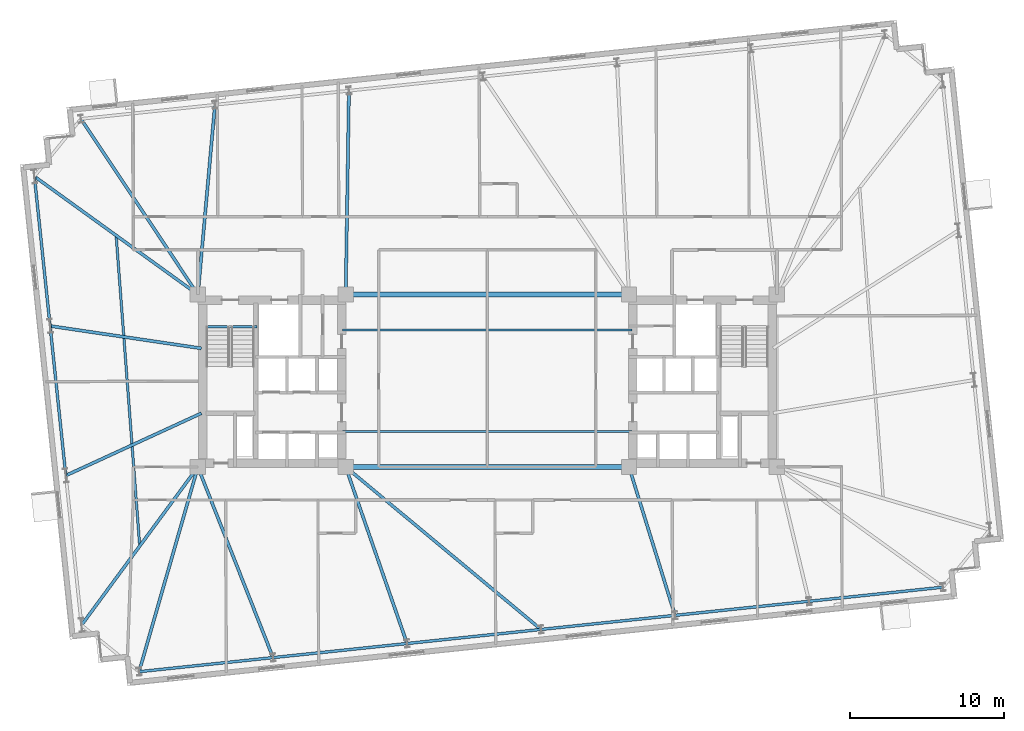
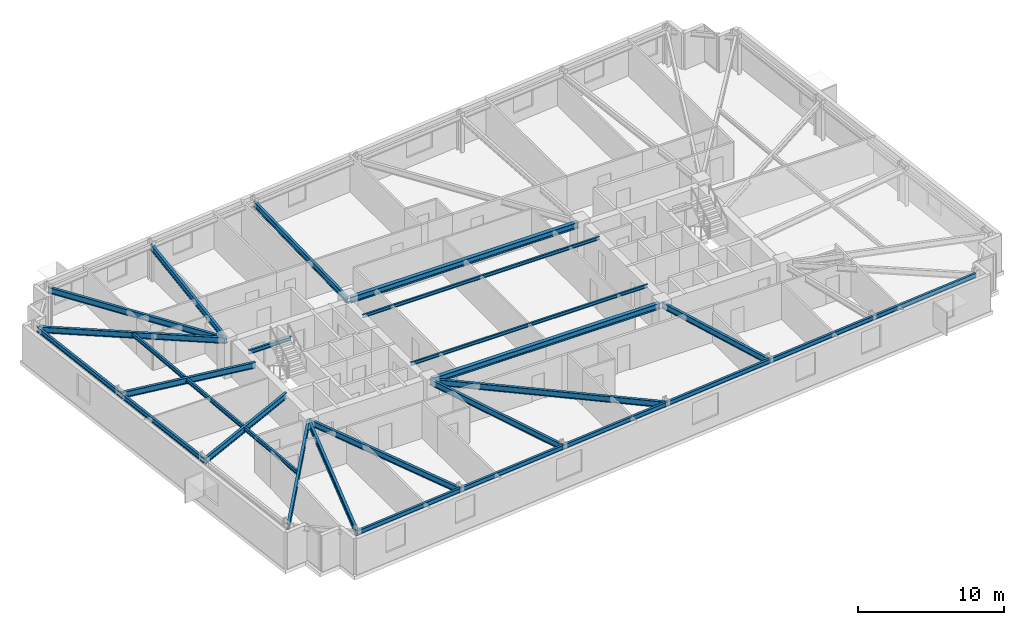
# One storey, part 5 of 18: 26 beams.
"""IFC4 building model written with IfcOpenShell, lengths in metres."""

import ifcopenshell
import ifcopenshell.guid

model = None  # the IFC model being written
_history = None  # IfcOwnerHistory: only IFC2X3 demands one
_inside = {}  # id of a spatial element -> (the spatial element, [elements in it])
_under = {}  # id of a project, library or spatial element -> (it, [spatial elements below it])
_declared = {}  # id of a project -> (the project, [libraries it declares])
_typed = {}  # id of a type object -> (the type object, [elements of that type])
_made_of = {}  # id of a material, layer set ... -> (it, [elements and type objects made of it])


def new_model(schema):
    """Start an empty IFC model of exactly this schema.

    Asked for "IFC4X3", IfcOpenShell would pick the latest addendum, in which some entities
    have other attributes; the version numbers below select the first issue.
    IFC2X3 requires an IfcOwnerHistory on every rooted entity: one is made here for all.
    """
    global model, _history
    if schema == "IFC4X3":
        model = ifcopenshell.file(schema_version=(4, 3, 0, 0))
    else:
        model = ifcopenshell.file(schema=schema)
    _inside.clear()
    _under.clear()
    _declared.clear()
    _typed.clear()
    _made_of.clear()
    _history = None
    if model.schema == "IFC2X3":
        org = make("IfcOrganization", Name="unknown")
        user = make(
            "IfcPersonAndOrganization",
            ThePerson=make("IfcPerson", FamilyName="unknown"),
            TheOrganization=org,
        )
        app = make(
            "IfcApplication",
            ApplicationDeveloper=org,
            Version="unknown",
            ApplicationFullName="unknown",
            ApplicationIdentifier="unknown",
        )
        _history = make(
            "IfcOwnerHistory",
            OwningUser=user,
            OwningApplication=app,
            ChangeAction="ADDED",
            CreationDate=0,
        )
    return model


def make(cls, **values):
    """One entity of the class cls with the attributes given. An attribute that is None is left unset."""
    return model.create_entity(
        cls, **{name: value for name, value in values.items() if value is not None}
    )


def rooted(cls, **values):
    """An entity with a GlobalId (a new one), such as an element, a storey or a relation."""
    return make(cls, GlobalId=ifcopenshell.guid.new(), OwnerHistory=_history, **values)


def si_unit(unit_type, name, prefix=None):
    """IfcSIUnit, for example si_unit("LENGTHUNIT", "METRE", prefix="MILLI")."""
    return make("IfcSIUnit", UnitType=unit_type, Prefix=prefix, Name=name)


def assignment(units):
    """IfcUnitAssignment: the units of a project."""
    return None if units is None else make("IfcUnitAssignment", Units=units)


def point(xyz):
    """IfcCartesianPoint."""
    return None if xyz is None else make("IfcCartesianPoint", Coordinates=xyz)


def direction(xyz):
    """IfcDirection."""
    return None if xyz is None else make("IfcDirection", DirectionRatios=xyz)


def frame(location, z_axis=None, x_axis=None):
    """IfcAxis2Placement3D, a coordinate frame: its origin and axes. An axis left out is left unset."""
    return make(
        "IfcAxis2Placement3D",
        Location=point(location),
        Axis=direction(z_axis),
        RefDirection=direction(x_axis),
    )


def frame_2d(location, x_axis=None):
    """IfcAxis2Placement2D, a coordinate frame in the plane: its origin and x axis."""
    return make(
        "IfcAxis2Placement2D", Location=point(location), RefDirection=direction(x_axis)
    )


def origin():
    """The frame at (0, 0, 0) with its axes left unset."""
    return frame((0.0, 0.0, 0.0))


def origin_2d():
    """The frame at (0, 0) in the plane with its x axis left unset."""
    return frame_2d((0.0, 0.0))


def place(relative_to, where):
    """IfcLocalPlacement: puts the frame where relative to a parent placement (None: the world)."""
    return make(
        "IfcLocalPlacement", PlacementRelTo=relative_to, RelativePlacement=where
    )


def context(
    kind, dimensions, precision=None, world=None, true_north=None, identifier=None
):
    """IfcGeometricRepresentationContext, for example the 3D "Model" context."""
    return make(
        "IfcGeometricRepresentationContext",
        ContextIdentifier=identifier,
        ContextType=kind,
        CoordinateSpaceDimension=dimensions,
        Precision=precision,
        WorldCoordinateSystem=world,
        TrueNorth=true_north,
    )


def subcontext(parent, identifier, kind, view, scale=None):
    """IfcGeometricRepresentationSubContext, for example "Body" below "Model"."""
    return make(
        "IfcGeometricRepresentationSubContext",
        ContextIdentifier=identifier,
        ContextType=kind,
        ParentContext=parent,
        TargetScale=scale,
        TargetView=view,
    )


def project(units=None, contexts=None):
    """IfcProject with its units and contexts."""
    return rooted(
        "IfcProject",
        Name="project",
        RepresentationContexts=contexts,
        UnitsInContext=assignment(units),
    )


def spatial(cls, under=None, at=None, **own):
    """A site, building, storey or space (cls), placed at a placement, below another one or the project."""
    s = rooted(cls, ObjectPlacement=at, **own)
    if under is not None:
        _under.setdefault(under.id(), (under, []))[1].append(s)
    return s


def profile(cls, at=None, kind="AREA", **sizes):
    """A parametric profile (cls). Its sizes go by their IFC names, for example OverallWidth=200.0."""
    return make(cls, ProfileType=kind, Position=at, **sizes)


def i_section(**sizes):
    """IfcIShapeProfileDef."""
    return profile("IfcIShapeProfileDef", **sizes)


def extrude(swept, where, along, depth):
    """IfcExtrudedAreaSolid: the profile swept, set in the frame where, extruded along a direction by depth."""
    return make(
        "IfcExtrudedAreaSolid",
        SweptArea=swept,
        Position=where,
        ExtrudedDirection=direction(along),
        Depth=depth,
    )


def shape(context_of_items, identifier, shape_type, items):
    """IfcShapeRepresentation: the items that make up one representation, for example the "Body"."""
    return make(
        "IfcShapeRepresentation",
        ContextOfItems=context_of_items,
        RepresentationIdentifier=identifier,
        RepresentationType=shape_type,
        Items=items,
    )


def material(Name=None, Category=None):
    """IfcMaterial."""
    return make("IfcMaterial", Name=Name, Category=Category)


def material_profile(
    of_material, cross_section, Name=None, Category=None, Priority=None
):
    """IfcMaterialProfile: a cross section and its material."""
    return make(
        "IfcMaterialProfile",
        Name=Name,
        Material=of_material,
        Profile=cross_section,
        Priority=Priority,
        Category=Category,
    )


def profile_set(profiles, Name=None, composite=None):
    """IfcMaterialProfileSet."""
    return make(
        "IfcMaterialProfileSet",
        Name=Name,
        MaterialProfiles=profiles,
        CompositeProfile=composite,
    )


def made_of(thing, what):
    """Note that an element or type object is made of a material, layer set ...; save() writes the relation."""
    if what is not None:
        _made_of.setdefault(what.id(), (what, []))[1].append(thing)
    return thing


def type_object(cls, material=None, **own):
    """A type object (cls), such as IfcWallType, which elements share."""
    return made_of(rooted(cls, **own), material)


def element(
    cls,
    number,
    at=None,
    inside=None,
    cuts=None,
    type_object=None,
    material=None,
    context=None,
    identifier="Body",
    shape_type=None,
    held_by="IfcProductDefinitionShape",
    body=None,
    shapes=None,
    **own,
):
    """One element of the class cls, such as IfcWall. Its Tag is "e" and its number.

    at: its placement. inside: the storey or other place that contains it. cuts: it is an
    opening in that element (IfcRelVoidsElement). A single representation is given by context,
    identifier, shape_type and body (its items); several are given by shapes. held_by: the class
    of the entity that holds the representations. save() writes the other relations.
    """
    e = rooted(cls, Tag="e%d" % number, ObjectPlacement=at, **own)
    if body is not None:
        shapes = [shape(context, identifier, shape_type, body)]
    if shapes is not None:
        e.Representation = make(held_by, Representations=shapes)
    if inside is not None:
        _inside.setdefault(inside.id(), (inside, []))[1].append(e)
    if cuts is not None:
        rooted(
            "IfcRelVoidsElement", RelatingBuildingElement=cuts, RelatedOpeningElement=e
        )
    if type_object is not None:
        _typed.setdefault(type_object.id(), (type_object, []))[1].append(e)
    return made_of(e, material)


def aggregate(whole, parts):
    """IfcRelAggregates: a whole, such as a stair, and the parts it consists of."""
    return rooted("IfcRelAggregates", RelatingObject=whole, RelatedObjects=parts)


def save(model, path):
    """Write the relations noted so far, then the file.

    IfcRelAggregates (storeys below a building ...), IfcRelContainedInSpatialStructure (elements
    in a storey), IfcRelDefinesByType, IfcRelAssociatesMaterial and IfcRelDeclares: one each for
    every whole, place, type object, material and project.
    """
    for whole, parts in _under.values():
        aggregate(whole, parts)
    for where, things in _inside.values():
        rooted(
            "IfcRelContainedInSpatialStructure",
            RelatedElements=things,
            RelatingStructure=where,
        )
    for kind, things in _typed.values():
        rooted("IfcRelDefinesByType", RelatedObjects=things, RelatingType=kind)
    for what, things in _made_of.values():
        rooted("IfcRelAssociatesMaterial", RelatedObjects=things, RelatingMaterial=what)
    for by, libraries in _declared.values():
        rooted("IfcRelDeclares", RelatingContext=by, RelatedDefinitions=libraries)
    model.write(path)


model = new_model("IFC4")

# Units and contexts
model_context = context("Model", 3, precision=1e-05, world=origin(), true_north=direction((0.0, 1.0)))
body_context = subcontext(model_context, "Body", "Model", "MODEL_VIEW")
ifc_project = project(units=[si_unit("LENGTHUNIT", "METRE"), si_unit("AREAUNIT", "SQUARE_METRE"), si_unit("VOLUMEUNIT", "CUBIC_METRE"), si_unit("PLANEANGLEUNIT", "RADIAN"), si_unit("MASSUNIT", "GRAM", prefix="KILO")], contexts=[model_context])

# Site, building, storey
site_placement = place(None, origin())
site = spatial("IfcSite", under=ifc_project, at=site_placement, CompositionType="ELEMENT")
building_placement = place(site_placement, origin())
building = spatial("IfcBuilding", under=site, at=building_placement, Name="Qobustan Lattice House", CompositionType="ELEMENT")
storey_placement = place(building_placement, frame((0.0, 0.0, 109.14990234375)))
storey = spatial("IfcBuildingStorey", under=building, at=storey_placement, Name="L30", CompositionType="ELEMENT", Elevation=109.14990234375)

# Beams
ifc_material_1 = material(Name="Steel S355", Category="steel")
ifc_material_profile_1 = material_profile(ifc_material_1, i_section(OverallWidth=0.300048828125, OverallDepth=0.5, WebThickness=0.014404296875, FlangeThickness=0.028076171875, FilletRadius=0.027099609375, at=origin_2d()), Name="HEB500")
ifc_profile_set_1 = profile_set([ifc_material_profile_1], Name="Steel S355")
beam_type_1 = type_object("IfcBeamType", Name="BM-CG-HEB500", PredefinedType="USERDEFINED", material=ifc_profile_set_1)
for number, where, z_axis, x_axis, name in (
    (1, (-9.050048828125, -5.60009765625, 2.795166015625), (1.0, 0.0, 0.0), (0.0, 1.0, 0.0), "L30 core spine girder CG-CS"),
    (2, (-9.050048828125, 5.60009765625, 2.795166015625), (1.0, 0.0, 0.0), (0.0, 1.0, 0.0), "L30 core spine girder CG-CN"),
):
    element("IfcBeam", number, at=place(storey_placement, frame(where, z_axis=z_axis, x_axis=x_axis)), inside=storey, type_object=beam_type_1, Name=name, ObjectType="GIRDER", PredefinedType="USERDEFINED", context=body_context, shape_type="SweptSolid", body=[
        extrude(i_section(OverallWidth=0.300048828125, OverallDepth=0.5, WebThickness=0.014404296875, FlangeThickness=0.028076171875, FilletRadius=0.027099609375, at=origin_2d()), origin(), (0.0, 0.0, 1.0), 18.10009765625),
    ])
ifc_material_2 = material(Name="Steel S355", Category="steel")
ifc_material_profile_2 = material_profile(ifc_material_2, i_section(OverallWidth=0.199951171875, OverallDepth=0.5, WebThickness=0.01025390625, FlangeThickness=0.01611328125, FilletRadius=0.02099609375, at=origin_2d()), Name="IPE500")
ifc_profile_set_2 = profile_set([ifc_material_profile_2], Name="Steel S355")
beam_type_2 = type_object("IfcBeamType", Name="BM-FLG-IPE500", PredefinedType="USERDEFINED", material=ifc_profile_set_2)
beam_1_placement = place(storey_placement, frame((-22.612548828125, -18.87109375, 2.795166015625), z_axis=(0.276115177845, 0.961124554136, 0.0), x_axis=(-0.961124554136, 0.276115177845, 0.0)))
element("IfcBeam", 3, at=beam_1_placement, inside=storey, type_object=beam_type_2, Name="L30 primary floor girder RAD-S1W", ObjectType="GIRDER", PredefinedType="USERDEFINED", context=body_context, shape_type="SweptSolid", body=[
    extrude(i_section(OverallWidth=0.199951171875, OverallDepth=0.5, WebThickness=0.01025390625, FlangeThickness=0.01611328125, FilletRadius=0.02099609375, at=origin_2d()), origin(), (0.0, 0.0, 1.0), 13.782958984375),
])
beam_2_placement = place(storey_placement, frame((-13.926513671875, -17.95703125, 2.795166015625), z_axis=(-0.366884358141, 0.930266557365, 0.0), x_axis=(-0.930266557365, -0.366884358141, 0.0)))
element("IfcBeam", 4, at=beam_2_placement, inside=storey, type_object=beam_type_2, Name="L30 primary floor girder RAD-S2", ObjectType="GIRDER", PredefinedType="USERDEFINED", context=body_context, shape_type="SweptSolid", body=[
    extrude(i_section(OverallWidth=0.199951171875, OverallDepth=0.5, WebThickness=0.01025390625, FlangeThickness=0.01611328125, FilletRadius=0.02099609375, at=origin_2d()), origin(), (0.0, 0.0, 1.0), 13.25830078125),
])
beam_3_placement = place(storey_placement, frame((-5.223388671875, -17.0419921875, 2.795166015625), z_axis=(-0.328289533586, 0.94457714462, 0.0), x_axis=(-0.94457714462, -0.328289533586, 0.0)))
element("IfcBeam", 5, at=beam_3_placement, inside=storey, type_object=beam_type_2, Name="L30 primary floor girder RAD-S3", ObjectType="GIRDER", PredefinedType="USERDEFINED", context=body_context, shape_type="SweptSolid", body=[
    extrude(i_section(OverallWidth=0.199951171875, OverallDepth=0.5, WebThickness=0.01025390625, FlangeThickness=0.01611328125, FilletRadius=0.02099609375, at=origin_2d()), origin(), (0.0, 0.0, 1.0), 12.08837890625),
])
beam_4_placement = place(storey_placement, frame((3.467529296875, -16.135009765625, 2.795166015625), z_axis=(-0.768858311844, 0.639419186691, 0.0), x_axis=(-0.639419186691, -0.768858311844, 0.0)))
element("IfcBeam", 6, at=beam_4_placement, inside=storey, type_object=beam_type_2, Name="L30 primary floor girder RAD-S4", ObjectType="GIRDER", PredefinedType="USERDEFINED", context=body_context, shape_type="SweptSolid", body=[
    extrude(i_section(OverallWidth=0.199951171875, OverallDepth=0.5, WebThickness=0.01025390625, FlangeThickness=0.01611328125, FilletRadius=0.02099609375, at=origin_2d()), origin(), (0.0, 0.0, 1.0), 16.450927734375),
])
beam_5_placement = place(storey_placement, frame((12.181396484375, -15.212646484375, 2.795166015625), z_axis=(-0.296219460995, 0.955119903953, 0.0), x_axis=(-0.955119903953, -0.296219460995, 0.0)))
element("IfcBeam", 7, at=beam_5_placement, inside=storey, type_object=beam_type_2, Name="L30 primary floor girder RAD-S5", ObjectType="GIRDER", PredefinedType="USERDEFINED", context=body_context, shape_type="SweptSolid", body=[
    extrude(i_section(OverallWidth=0.199951171875, OverallDepth=0.5, WebThickness=0.01025390625, FlangeThickness=0.01611328125, FilletRadius=0.02099609375, at=origin_2d()), origin(), (0.0, 0.0, 1.0), 10.03955078125),
])
beam_6_placement = place(storey_placement, frame((-26.37890625, 16.986328125, 2.795166015625), z_axis=(0.5540893103, -0.832457227857, 0.0), x_axis=(0.832457227857, 0.5540893103, 0.0)))
element("IfcBeam", 8, at=beam_6_placement, inside=storey, type_object=beam_type_2, Name="L30 primary floor girder RAD-N7W", ObjectType="GIRDER", PredefinedType="USERDEFINED", context=body_context, shape_type="SweptSolid", body=[
    extrude(i_section(OverallWidth=0.199951171875, OverallDepth=0.5, WebThickness=0.01025390625, FlangeThickness=0.01611328125, FilletRadius=0.02099609375, at=origin_2d()), origin(), (0.0, 0.0, 1.0), 13.65283203125),
])
beam_7_placement = place(storey_placement, frame((-17.693115234375, 17.89697265625, 2.795166015625), z_axis=(-0.089658533603, -0.995972563554, 0.0), x_axis=(0.995972563554, -0.089658533603, 0.0)))
element("IfcBeam", 9, at=beam_7_placement, inside=storey, type_object=beam_type_2, Name="L30 primary floor girder RAD-N6", ObjectType="GIRDER", PredefinedType="USERDEFINED", context=body_context, shape_type="SweptSolid", body=[
    extrude(i_section(OverallWidth=0.199951171875, OverallDepth=0.5, WebThickness=0.01025390625, FlangeThickness=0.01611328125, FilletRadius=0.02099609375, at=origin_2d()), origin(), (0.0, 0.0, 1.0), 12.321533203125),
])
beam_8_placement = place(storey_placement, frame((-8.9892578125, 18.8115234375, 2.795166015625), z_axis=(-0.015957384359, -0.999872672836, 0.0), x_axis=(0.999872672836, -0.015957384359, 0.0)))
element("IfcBeam", 10, at=beam_8_placement, inside=storey, type_object=beam_type_2, Name="L30 primary floor girder RAD-N5", ObjectType="GIRDER", PredefinedType="USERDEFINED", context=body_context, shape_type="SweptSolid", body=[
    extrude(i_section(OverallWidth=0.199951171875, OverallDepth=0.5, WebThickness=0.01025390625, FlangeThickness=0.01611328125, FilletRadius=0.02099609375, at=origin_2d()), origin(), (0.0, 0.0, 1.0), 13.188232421875),
])
beam_9_placement = place(storey_placement, frame((-29.398681640625, 13.255859375, 2.795166015625), z_axis=(0.810627425394, -0.585562274399, 0.0), x_axis=(0.585562274399, 0.810627425394, 0.0)))
element("IfcBeam", 11, at=beam_9_placement, inside=storey, type_object=beam_type_2, Name="L30 primary floor girder RAD-W1", ObjectType="GIRDER", PredefinedType="USERDEFINED", context=body_context, shape_type="SweptSolid", body=[
    extrude(i_section(OverallWidth=0.199951171875, OverallDepth=0.5, WebThickness=0.01025390625, FlangeThickness=0.01611328125, FilletRadius=0.02099609375, at=origin_2d()), origin(), (0.0, 0.0, 1.0), 13.049560546875),
])
beam_10_placement = place(storey_placement, frame((-28.373291015625, 3.5537109375, 2.795166015625), z_axis=(0.989228195022, -0.146381618294, 0.0), x_axis=(0.146381618294, 0.989228195022, 0.0)))
element("IfcBeam", 12, at=beam_10_placement, inside=storey, type_object=beam_type_2, Name="L30 primary floor girder RAD-W2", ObjectType="GIRDER", PredefinedType="USERDEFINED", context=body_context, shape_type="SweptSolid", body=[
    extrude(i_section(OverallWidth=0.199951171875, OverallDepth=0.5, WebThickness=0.01025390625, FlangeThickness=0.01611328125, FilletRadius=0.02099609375, at=origin_2d()), origin(), (0.0, 0.0, 1.0), 9.9052734375),
])
beam_11_placement = place(storey_placement, frame((-27.3544921875, -6.1455078125, 2.795166015625), z_axis=(0.908664928826, 0.417526103521, 0.0), x_axis=(-0.417526103521, 0.908664928826, 0.0)))
element("IfcBeam", 13, at=beam_11_placement, inside=storey, type_object=beam_type_2, Name="L30 primary floor girder RAD-W3", ObjectType="GIRDER", PredefinedType="USERDEFINED", context=body_context, shape_type="SweptSolid", body=[
    extrude(i_section(OverallWidth=0.199951171875, OverallDepth=0.5, WebThickness=0.01025390625, FlangeThickness=0.01611328125, FilletRadius=0.02099609375, at=origin_2d()), origin(), (0.0, 0.0, 1.0), 9.66455078125),
])
beam_12_placement = place(storey_placement, frame((-26.34130859375, -15.848876953125, 2.795166015625), z_axis=(0.592669703312, 0.805445605101, 0.0), x_axis=(-0.805445605101, 0.592669703312, 0.0)))
element("IfcBeam", 14, at=beam_12_placement, inside=storey, type_object=beam_type_2, Name="L30 primary floor girder RAD-W4", ObjectType="GIRDER", PredefinedType="USERDEFINED", context=body_context, shape_type="SweptSolid", body=[
    extrude(i_section(OverallWidth=0.199951171875, OverallDepth=0.5, WebThickness=0.01025390625, FlangeThickness=0.01611328125, FilletRadius=0.02099609375, at=origin_2d()), origin(), (0.0, 0.0, 1.0), 12.699462890625),
])
ifc_material_3 = material(Name="Steel S355", Category="steel")
ifc_material_profile_3 = material_profile(ifc_material_3, i_section(OverallWidth=0.135009765625, OverallDepth=0.27001953125, WebThickness=0.006591796875, FlangeThickness=0.01025390625, FilletRadius=0.014892578125, at=origin_2d()), Name="IPE270")
ifc_profile_set_3 = profile_set([ifc_material_profile_3], Name="Steel S355")
beam_type_3 = type_object("IfcBeamType", Name="BM-JST-IPE270", PredefinedType="JOIST", material=ifc_profile_set_3)
for number, where, z_axis, x_axis, name in (
    (15, (-9.39990234375, -3.300048828125, 2.91015625), (1.0, 0.0, 0.0), (0.0, 1.0, 0.0), "L30 central span floor joist 1"),
    (16, (-9.39990234375, 3.300048828125, 2.91015625), (1.0, 0.0, 0.0), (0.0, 1.0, 0.0), "L30 central span floor joist 2"),
):
    element("IfcBeam", number, at=place(storey_placement, frame(where, z_axis=z_axis, x_axis=x_axis)), inside=storey, type_object=beam_type_3, Name=name, PredefinedType="JOIST", context=body_context, shape_type="SweptSolid", body=[
        extrude(i_section(OverallWidth=0.135009765625, OverallDepth=0.27001953125, WebThickness=0.006591796875, FlangeThickness=0.01025390625, FilletRadius=0.014892578125, at=origin_2d()), origin(), (0.0, 0.0, 1.0), 18.7998046875),
    ])
ifc_material_4 = material(Name="Steel S355", Category="steel")
ifc_material_profile_4 = material_profile(ifc_material_4, i_section(OverallWidth=0.159912109375, OverallDepth=0.330078125, WebThickness=0.007568359375, FlangeThickness=0.011474609375, FilletRadius=0.01806640625, at=origin_2d()), Name="IPE330")
ifc_profile_set_4 = profile_set([ifc_material_profile_4], Name="Steel S355")
beam_type_4 = type_object("IfcBeamType", Name="BM-SEC-IPE330", PredefinedType="BEAM", material=ifc_profile_set_4)
beam_13_placement = place(storey_placement, frame((-24.109619140625, 9.435302734375, 2.880126953125), z_axis=(0.07571166528, -0.997129752711, 0.0), x_axis=(0.997129752711, 0.07571166528, 0.0)))
element("IfcBeam", 17, at=beam_13_placement, inside=storey, type_object=beam_type_4, Name="L30 west wing secondary beam", PredefinedType="BEAM", context=body_context, shape_type="SweptSolid", body=[
    extrude(i_section(OverallWidth=0.159912109375, OverallDepth=0.330078125, WebThickness=0.007568359375, FlangeThickness=0.011474609375, FilletRadius=0.01806640625, at=origin_2d()), origin(), (0.0, 0.0, 1.0), 20.22802734375),
])
ifc_material_5 = material(Name="Steel S355", Category="steel")
ifc_material_profile_5 = material_profile(ifc_material_5, i_section(OverallWidth=0.159912109375, OverallDepth=0.330078125, WebThickness=0.007568359375, FlangeThickness=0.011474609375, FilletRadius=0.01806640625, at=origin_2d()), Name="IPE330")
ifc_profile_set_5 = profile_set([ifc_material_profile_5], Name="Steel S355")
beam_type_5 = type_object("IfcBeamType", Name="BM-SPD-IPE330", PredefinedType="SPANDREL", material=ifc_profile_set_5)
beam_14_placement = place(storey_placement, frame((-18.300048828125, 3.52001953125, 2.880126953125), z_axis=(1.0, 0.0, 0.0), x_axis=(0.0, 1.0, 0.0)))
element("IfcBeam", 18, at=beam_14_placement, inside=storey, type_object=beam_type_5, Name="L30 west stair landing trimmer beam", PredefinedType="SPANDREL", context=body_context, shape_type="SweptSolid", body=[
    extrude(i_section(OverallWidth=0.159912109375, OverallDepth=0.330078125, WebThickness=0.007568359375, FlangeThickness=0.011474609375, FilletRadius=0.01806640625, at=origin_2d()), origin(), (0.0, 0.0, 1.0), 3.35009765625),
])
ifc_material_6 = material(Name="Steel S355", Category="steel")
ifc_material_profile_6 = material_profile(ifc_material_6, i_section(OverallWidth=0.179931640625, OverallDepth=0.39990234375, WebThickness=0.008544921875, FlangeThickness=0.013427734375, FilletRadius=0.02099609375, at=origin_2d()), Name="IPE400")
ifc_profile_set_6 = profile_set([ifc_material_profile_6], Name="Steel S355")
beam_type_6 = type_object("IfcBeamType", Name="BM-SPD-IPE400", PredefinedType="SPANDREL", material=ifc_profile_set_6)
beam_15_placement = place(storey_placement, frame((-22.594482421875, -18.892333984375, 2.84521484375), z_axis=(0.994521279781, 0.10453432002, 0.0), x_axis=(-0.10453432002, 0.994521279781, 0.0)))
element("IfcBeam", 19, at=beam_15_placement, inside=storey, type_object=beam_type_6, Name="L30 perimeter spandrel S1-S2", PredefinedType="SPANDREL", context=body_context, shape_type="SweptSolid", body=[
    extrude(i_section(OverallWidth=0.179931640625, OverallDepth=0.39990234375, WebThickness=0.008544921875, FlangeThickness=0.013427734375, FilletRadius=0.02099609375, at=origin_2d()), origin(), (0.0, 0.0, 1.0), 8.69970703125),
])
for number, where, z_axis, x_axis, name in (
    (20, (-13.892578125, -17.977783203125, 2.84521484375), (0.994521586424, 0.104531402636, 0.0), (-0.104531402636, 0.994521586424, 0.0), "L30 perimeter spandrel S2-S3"),
    (21, (-5.1904296875, -17.06298828125, 2.84521484375), (0.994524503348, 0.104503647022, 0.0), (-0.104503647022, 0.994524503348, 0.0), "L30 perimeter spandrel S3-S4"),
):
    element("IfcBeam", number, at=place(storey_placement, frame(where, z_axis=z_axis, x_axis=x_axis)), inside=storey, type_object=beam_type_6, Name=name, PredefinedType="SPANDREL", context=body_context, shape_type="SweptSolid", body=[
        extrude(i_section(OverallWidth=0.179931640625, OverallDepth=0.39990234375, WebThickness=0.008544921875, FlangeThickness=0.013427734375, FilletRadius=0.02099609375, at=origin_2d()), origin(), (0.0, 0.0, 1.0), 8.699951171875),
    ])
beam_16_placement = place(storey_placement, frame((3.51171875, -16.1484375, 2.84521484375), z_axis=(0.994521279781, 0.10453432002, 0.0), x_axis=(-0.10453432002, 0.994521279781, 0.0)))
element("IfcBeam", 22, at=beam_16_placement, inside=storey, type_object=beam_type_6, Name="L30 perimeter spandrel S4-S5", PredefinedType="SPANDREL", context=body_context, shape_type="SweptSolid", body=[
    extrude(i_section(OverallWidth=0.179931640625, OverallDepth=0.39990234375, WebThickness=0.008544921875, FlangeThickness=0.013427734375, FilletRadius=0.02099609375, at=origin_2d()), origin(), (0.0, 0.0, 1.0), 8.69970703125),
])
for number, where, z_axis, x_axis, name in (
    (23, (12.213623046875, -15.23388671875, 2.84521484375), (0.994521586424, 0.104531402636, 0.0), (-0.104531402636, 0.994521586424, 0.0), "L30 perimeter spandrel S5-S6"),
    (24, (20.915771484375, -14.3193359375, 2.84521484375), (0.994521586424, 0.104531402636, 0.0), (-0.104531402636, 0.994521586424, 0.0), "L30 perimeter spandrel S6-S7"),
):
    element("IfcBeam", number, at=place(storey_placement, frame(where, z_axis=z_axis, x_axis=x_axis)), inside=storey, type_object=beam_type_6, Name=name, PredefinedType="SPANDREL", context=body_context, shape_type="SweptSolid", body=[
        extrude(i_section(OverallWidth=0.179931640625, OverallDepth=0.39990234375, WebThickness=0.008544921875, FlangeThickness=0.013427734375, FilletRadius=0.02099609375, at=origin_2d()), origin(), (0.0, 0.0, 1.0), 8.699951171875),
    ])
beam_17_placement = place(storey_placement, frame((-29.416259765625, 13.24560546875, 2.84521484375), z_axis=(0.104525214252, -0.994522236848, 0.0), x_axis=(0.994522236848, 0.104525214252, 0.0)))
element("IfcBeam", 25, at=beam_17_placement, inside=storey, type_object=beam_type_6, Name="L30 perimeter spandrel W1-W2", PredefinedType="SPANDREL", context=body_context, shape_type="SweptSolid", body=[
    extrude(i_section(OverallWidth=0.179931640625, OverallDepth=0.39990234375, WebThickness=0.008544921875, FlangeThickness=0.013427734375, FilletRadius=0.02099609375, at=origin_2d()), origin(), (0.0, 0.0, 1.0), 9.716552734375),
])
beam_18_placement = place(storey_placement, frame((-28.3955078125, 3.532470703125, 2.84521484375), z_axis=(0.104547453407, -0.994519899241, 0.0), x_axis=(0.994519899241, 0.104547453407, 0.0)))
element("IfcBeam", 26, at=beam_18_placement, inside=storey, type_object=beam_type_6, Name="L30 perimeter spandrel W2-W3", PredefinedType="SPANDREL", context=body_context, shape_type="SweptSolid", body=[
    extrude(i_section(OverallWidth=0.179931640625, OverallDepth=0.39990234375, WebThickness=0.008544921875, FlangeThickness=0.013427734375, FilletRadius=0.02099609375, at=origin_2d()), origin(), (0.0, 0.0, 1.0), 9.716796875),
])

save(model, "model.ifc")
